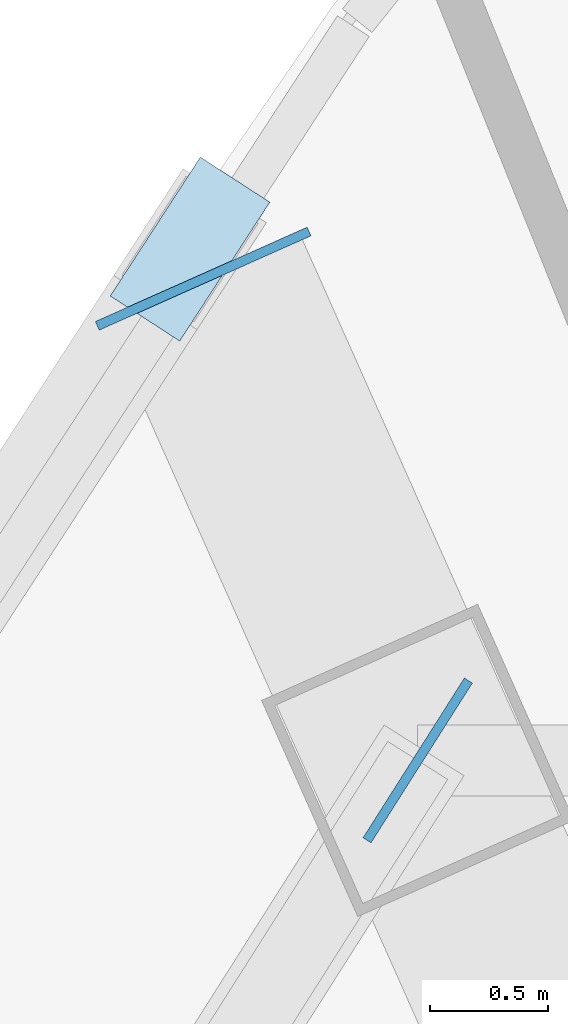
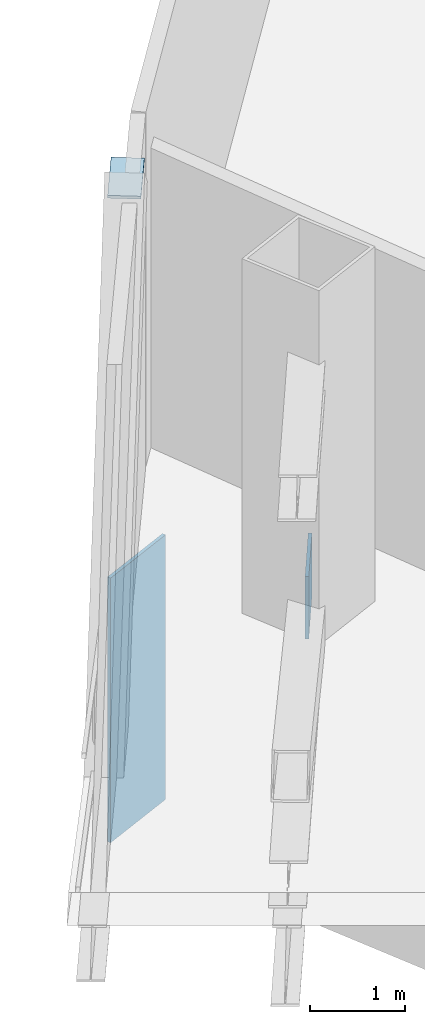
# One storey, part 6 of 17: 3 plates.
"""IFC4 building model written with IfcOpenShell, lengths in metres."""

import ifcopenshell
import ifcopenshell.guid

model = None  # the IFC model being written
_history = None  # IfcOwnerHistory: only IFC2X3 demands one
_inside = {}  # id of a spatial element -> (the spatial element, [elements in it])
_under = {}  # id of a project, library or spatial element -> (it, [spatial elements below it])
_declared = {}  # id of a project -> (the project, [libraries it declares])
_typed = {}  # id of a type object -> (the type object, [elements of that type])
_made_of = {}  # id of a material, layer set ... -> (it, [elements and type objects made of it])


def new_model(schema):
    """Start an empty IFC model of exactly this schema.

    Asked for "IFC4X3", IfcOpenShell would pick the latest addendum, in which some entities
    have other attributes; the version numbers below select the first issue.
    IFC2X3 requires an IfcOwnerHistory on every rooted entity: one is made here for all.
    """
    global model, _history
    if schema == "IFC4X3":
        model = ifcopenshell.file(schema_version=(4, 3, 0, 0))
    else:
        model = ifcopenshell.file(schema=schema)
    _inside.clear()
    _under.clear()
    _declared.clear()
    _typed.clear()
    _made_of.clear()
    _history = None
    if model.schema == "IFC2X3":
        org = make("IfcOrganization", Name="unknown")
        user = make(
            "IfcPersonAndOrganization",
            ThePerson=make("IfcPerson", FamilyName="unknown"),
            TheOrganization=org,
        )
        app = make(
            "IfcApplication",
            ApplicationDeveloper=org,
            Version="unknown",
            ApplicationFullName="unknown",
            ApplicationIdentifier="unknown",
        )
        _history = make(
            "IfcOwnerHistory",
            OwningUser=user,
            OwningApplication=app,
            ChangeAction="ADDED",
            CreationDate=0,
        )
    return model


def make(cls, **values):
    """One entity of the class cls with the attributes given. An attribute that is None is left unset."""
    return model.create_entity(
        cls, **{name: value for name, value in values.items() if value is not None}
    )


def rooted(cls, **values):
    """An entity with a GlobalId (a new one), such as an element, a storey or a relation."""
    return make(cls, GlobalId=ifcopenshell.guid.new(), OwnerHistory=_history, **values)


def si_unit(unit_type, name, prefix=None):
    """IfcSIUnit, for example si_unit("LENGTHUNIT", "METRE", prefix="MILLI")."""
    return make("IfcSIUnit", UnitType=unit_type, Prefix=prefix, Name=name)


def assignment(units):
    """IfcUnitAssignment: the units of a project."""
    return None if units is None else make("IfcUnitAssignment", Units=units)


def point(xyz):
    """IfcCartesianPoint."""
    return None if xyz is None else make("IfcCartesianPoint", Coordinates=xyz)


def direction(xyz):
    """IfcDirection."""
    return None if xyz is None else make("IfcDirection", DirectionRatios=xyz)


def frame(location, z_axis=None, x_axis=None):
    """IfcAxis2Placement3D, a coordinate frame: its origin and axes. An axis left out is left unset."""
    return make(
        "IfcAxis2Placement3D",
        Location=point(location),
        Axis=direction(z_axis),
        RefDirection=direction(x_axis),
    )


def frame_2d(location, x_axis=None):
    """IfcAxis2Placement2D, a coordinate frame in the plane: its origin and x axis."""
    return make(
        "IfcAxis2Placement2D", Location=point(location), RefDirection=direction(x_axis)
    )


def origin():
    """The frame at (0, 0, 0) with its axes left unset."""
    return frame((0.0, 0.0, 0.0))


def origin_2d():
    """The frame at (0, 0) in the plane with its x axis left unset."""
    return frame_2d((0.0, 0.0))


def place(relative_to, where):
    """IfcLocalPlacement: puts the frame where relative to a parent placement (None: the world)."""
    return make(
        "IfcLocalPlacement", PlacementRelTo=relative_to, RelativePlacement=where
    )


def context(
    kind, dimensions, precision=None, world=None, true_north=None, identifier=None
):
    """IfcGeometricRepresentationContext, for example the 3D "Model" context."""
    return make(
        "IfcGeometricRepresentationContext",
        ContextIdentifier=identifier,
        ContextType=kind,
        CoordinateSpaceDimension=dimensions,
        Precision=precision,
        WorldCoordinateSystem=world,
        TrueNorth=true_north,
    )


def subcontext(parent, identifier, kind, view, scale=None):
    """IfcGeometricRepresentationSubContext, for example "Body" below "Model"."""
    return make(
        "IfcGeometricRepresentationSubContext",
        ContextIdentifier=identifier,
        ContextType=kind,
        ParentContext=parent,
        TargetScale=scale,
        TargetView=view,
    )


def project(units=None, contexts=None):
    """IfcProject with its units and contexts."""
    return rooted(
        "IfcProject",
        Name="project",
        RepresentationContexts=contexts,
        UnitsInContext=assignment(units),
    )


def spatial(cls, under=None, at=None, **own):
    """A site, building, storey or space (cls), placed at a placement, below another one or the project."""
    s = rooted(cls, ObjectPlacement=at, **own)
    if under is not None:
        _under.setdefault(under.id(), (under, []))[1].append(s)
    return s


def profile(cls, at=None, kind="AREA", **sizes):
    """A parametric profile (cls). Its sizes go by their IFC names, for example OverallWidth=200.0."""
    return make(cls, ProfileType=kind, Position=at, **sizes)


def rectangle(**sizes):
    """IfcRectangleProfileDef."""
    return profile("IfcRectangleProfileDef", **sizes)


def extrude(swept, where, along, depth):
    """IfcExtrudedAreaSolid: the profile swept, set in the frame where, extruded along a direction by depth."""
    return make(
        "IfcExtrudedAreaSolid",
        SweptArea=swept,
        Position=where,
        ExtrudedDirection=direction(along),
        Depth=depth,
    )


def shape(context_of_items, identifier, shape_type, items):
    """IfcShapeRepresentation: the items that make up one representation, for example the "Body"."""
    return make(
        "IfcShapeRepresentation",
        ContextOfItems=context_of_items,
        RepresentationIdentifier=identifier,
        RepresentationType=shape_type,
        Items=items,
    )


def source(mapping_origin, context_of_items, identifier, shape_type, items):
    """IfcRepresentationMap: a shape defined once, which mapped items show again and again."""
    return make(
        "IfcRepresentationMap",
        MappingOrigin=mapping_origin,
        MappedRepresentation=shape(context_of_items, identifier, shape_type, items),
    )


def transform(
    local_origin,
    x_axis=None,
    y_axis=None,
    z_axis=None,
    scale=None,
    scale2=None,
    scale3=None,
    uniform=True,
):
    """IfcCartesianTransformationOperator3D, or its non-uniform kind. x_axis, y_axis, z_axis: its Axis1, 2, 3."""
    if uniform:
        return make(
            "IfcCartesianTransformationOperator3D",
            Axis1=direction(x_axis),
            Axis2=direction(y_axis),
            LocalOrigin=point(local_origin),
            Scale=scale,
            Axis3=direction(z_axis),
        )
    return make(
        "IfcCartesianTransformationOperator3DnonUniform",
        Axis1=direction(x_axis),
        Axis2=direction(y_axis),
        LocalOrigin=point(local_origin),
        Scale=scale,
        Axis3=direction(z_axis),
        Scale2=scale2,
        Scale3=scale3,
    )


def mapped(mapping_source, mapping_target):
    """IfcMappedItem: shows the shape of a source again, moved by a transform."""
    return make(
        "IfcMappedItem", MappingSource=mapping_source, MappingTarget=mapping_target
    )


def material(Name=None, Category=None):
    """IfcMaterial."""
    return make("IfcMaterial", Name=Name, Category=Category)


def layer(
    of_material, thickness, ventilated=None, Name=None, Category=None, Priority=None
):
    """IfcMaterialLayer: one layer of a wall or slab, of a material (None: an air gap)."""
    return make(
        "IfcMaterialLayer",
        Material=of_material,
        LayerThickness=thickness,
        IsVentilated=ventilated,
        Name=Name,
        Category=Category,
        Priority=Priority,
    )


def layer_set(layers, Name=None):
    """IfcMaterialLayerSet."""
    return make("IfcMaterialLayerSet", MaterialLayers=layers, LayerSetName=Name)


def made_of(thing, what):
    """Note that an element or type object is made of a material, layer set ...; save() writes the relation."""
    if what is not None:
        _made_of.setdefault(what.id(), (what, []))[1].append(thing)
    return thing


def type_object(cls, material=None, **own):
    """A type object (cls), such as IfcWallType, which elements share."""
    return made_of(rooted(cls, **own), material)


def element(
    cls,
    number,
    at=None,
    inside=None,
    cuts=None,
    type_object=None,
    material=None,
    context=None,
    identifier="Body",
    shape_type=None,
    held_by="IfcProductDefinitionShape",
    body=None,
    shapes=None,
    **own,
):
    """One element of the class cls, such as IfcWall. Its Tag is "e" and its number.

    at: its placement. inside: the storey or other place that contains it. cuts: it is an
    opening in that element (IfcRelVoidsElement). A single representation is given by context,
    identifier, shape_type and body (its items); several are given by shapes. held_by: the class
    of the entity that holds the representations. save() writes the other relations.
    """
    e = rooted(cls, Tag="e%d" % number, ObjectPlacement=at, **own)
    if body is not None:
        shapes = [shape(context, identifier, shape_type, body)]
    if shapes is not None:
        e.Representation = make(held_by, Representations=shapes)
    if inside is not None:
        _inside.setdefault(inside.id(), (inside, []))[1].append(e)
    if cuts is not None:
        rooted(
            "IfcRelVoidsElement", RelatingBuildingElement=cuts, RelatedOpeningElement=e
        )
    if type_object is not None:
        _typed.setdefault(type_object.id(), (type_object, []))[1].append(e)
    return made_of(e, material)


def aggregate(whole, parts):
    """IfcRelAggregates: a whole, such as a stair, and the parts it consists of."""
    return rooted("IfcRelAggregates", RelatingObject=whole, RelatedObjects=parts)


def save(model, path):
    """Write the relations noted so far, then the file.

    IfcRelAggregates (storeys below a building ...), IfcRelContainedInSpatialStructure (elements
    in a storey), IfcRelDefinesByType, IfcRelAssociatesMaterial and IfcRelDeclares: one each for
    every whole, place, type object, material and project.
    """
    for whole, parts in _under.values():
        aggregate(whole, parts)
    for where, things in _inside.values():
        rooted(
            "IfcRelContainedInSpatialStructure",
            RelatedElements=things,
            RelatingStructure=where,
        )
    for kind, things in _typed.values():
        rooted("IfcRelDefinesByType", RelatedObjects=things, RelatingType=kind)
    for what, things in _made_of.values():
        rooted("IfcRelAssociatesMaterial", RelatedObjects=things, RelatingMaterial=what)
    for by, libraries in _declared.values():
        rooted("IfcRelDeclares", RelatingContext=by, RelatedDefinitions=libraries)
    model.write(path)


model = new_model("IFC4")

# Units and contexts
model_context = context("Model", 3, precision=1e-05, world=origin(), true_north=direction((0.0, 1.0)))
body_context = subcontext(model_context, "Body", "Model", "MODEL_VIEW")
ifc_project = project(units=[si_unit("LENGTHUNIT", "METRE"), si_unit("AREAUNIT", "SQUARE_METRE"), si_unit("VOLUMEUNIT", "CUBIC_METRE"), si_unit("PLANEANGLEUNIT", "RADIAN"), si_unit("MASSUNIT", "GRAM", prefix="KILO"), si_unit("THERMODYNAMICTEMPERATUREUNIT", "KELVIN"), si_unit("POWERUNIT", "WATT")], contexts=[model_context])

# Site, building, storey
site_placement = place(None, origin())
site = spatial("IfcSite", under=ifc_project, at=site_placement, CompositionType="ELEMENT")
building_placement = place(site_placement, origin())
building = spatial("IfcBuilding", under=site, at=building_placement, Name="Yunzhuo Pagoda Commons", CompositionType="ELEMENT")
storey_placement = place(building_placement, frame((0.0, 0.0, 76.3798828125)))
storey = spatial("IfcBuildingStorey", under=building, at=storey_placement, Name="L19", CompositionType="ELEMENT", Elevation=76.3798828125)

# Plates
ifc_material_1 = material(Name="Structural steel Q420B", Category="steel")
ifc_layer_1 = layer(ifc_material_1, 0.0400390625)
ifc_layer_set_1 = layer_set([ifc_layer_1], Name="Structural steel Q420B")
plate_type_1 = type_object("IfcPlateType", Name="EP-TR2 Transfer Girder End Cap Plate 980x3540x40", PredefinedType="USERDEFINED", material=ifc_layer_set_1)
shared_shape_1 = source(origin(), body_context, "Body", "SweptSolid", [
    extrude(rectangle(XDim=0.97998046875, YDim=0.0400390625, at=origin_2d()), origin(), (0.0, 0.0, 1.0), 3.389892578125),
])
plate_1_placement = place(storey_placement, frame((31.151611328125, 71.5419921875, -3.64990234375), z_axis=(0.0, 0.0, 1.0), x_axis=(-0.913545457643, -0.406736643076, 0.0)))
element("IfcPlate", 1, at=plate_1_placement, inside=storey, type_object=plate_type_1, Name="L19 transfer girder end cap plate F3C1", ObjectType="END_PLATE", PredefinedType="USERDEFINED", context=body_context, shape_type="MappedRepresentation", body=[
    mapped(shared_shape_1, transform((0.0, 0.0, 0.0), scale=1.0)),
])
ifc_material_2 = material(Name="Structural steel Q355B", Category="steel")
ifc_layer_2 = layer(ifc_material_2, 0.028076171875)
ifc_layer_set_2 = layer_set([ifc_layer_2], Name="Structural steel Q355B")
plate_type_2 = type_object("IfcPlateType", Name="SP-ND1 Lattice Node Cap Plate 800x500x28", PredefinedType="USERDEFINED", material=ifc_layer_set_2)
shared_shape_2 = source(origin(), body_context, "Body", "SweptSolid", [
    extrude(rectangle(XDim=0.800048828125, YDim=0.0400390625, at=origin_2d()), origin(), (0.0, 0.0, 1.0), 0.800048828125),
])
plate_2_placement = place(storey_placement, frame((32.05859375, 69.505126953125, -0.1298828125), z_axis=(0.0, 0.0, 1.0), x_axis=(-0.535694161649, -0.844412082561, 0.0)))
element("IfcPlate", 2, at=plate_2_placement, inside=storey, type_object=plate_type_2, Name="L19 belt truss lower gusset plate 9", ObjectType="STIFFENER_PLATE", PredefinedType="USERDEFINED", context=body_context, shape_type="MappedRepresentation", body=[
    mapped(shared_shape_2, transform((0.0, 0.0, 0.0), scale=1.0)),
])
shared_shape_3 = source(origin(), body_context, "Body", "SweptSolid", [
    extrude(rectangle(XDim=0.699951171875, YDim=0.35009765625, at=origin_2d()), origin(), (0.0, 0.0, 1.0), 0.035888671875),
])
plate_3_placement = place(storey_placement, frame((31.095947265625, 71.6669921875, 4.501953125), z_axis=(0.0, 0.0, 1.0), x_axis=(-0.544273044112, -0.838908131712, 0.0)))
element("IfcPlate", 3, at=plate_3_placement, inside=storey, type_object=plate_type_2, Name="L19 setback lattice tie plate F3.1L", ObjectType="STIFFENER_PLATE", PredefinedType="USERDEFINED", context=body_context, shape_type="MappedRepresentation", body=[
    mapped(shared_shape_3, transform((0.0, 0.0, 0.0), scale=1.0)),
])

save(model, "model.ifc")
